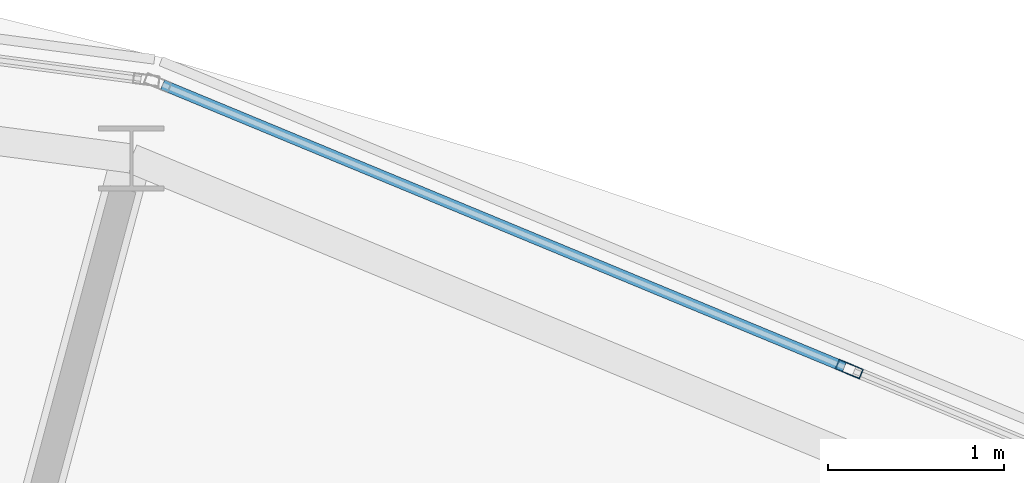
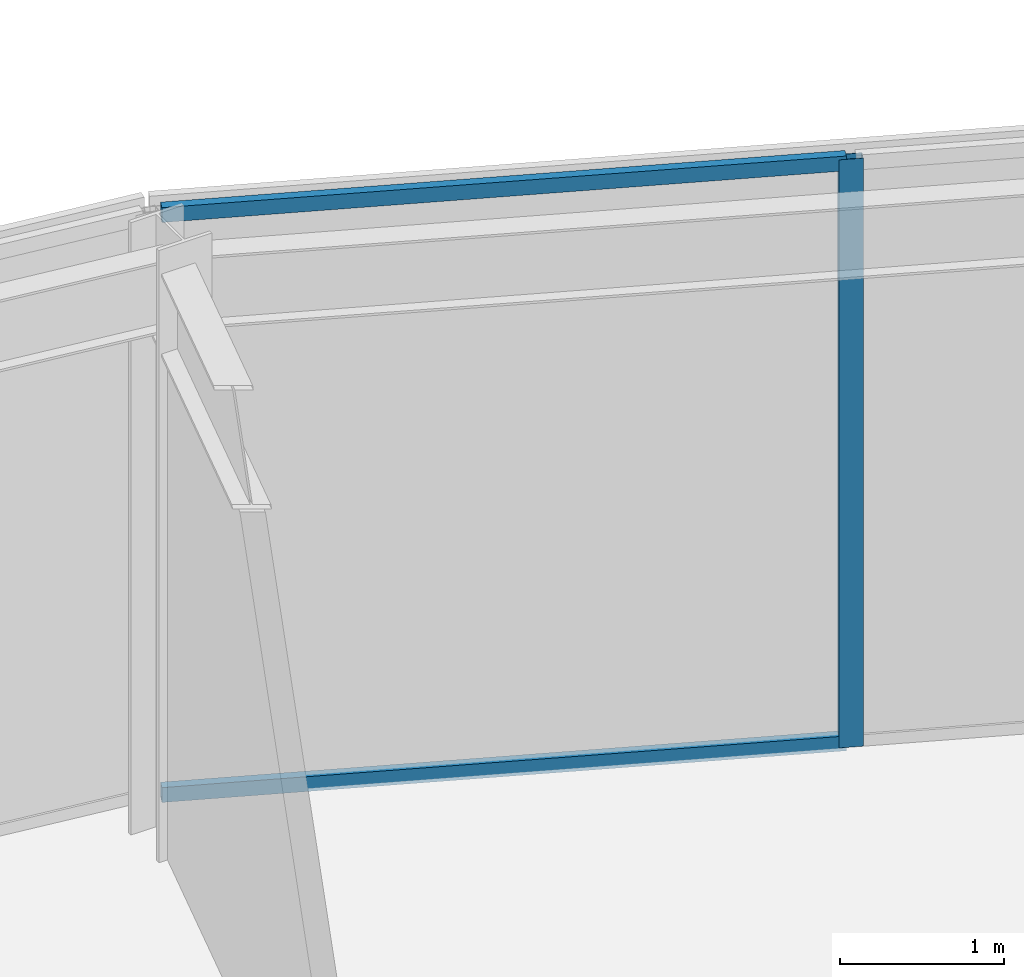
# One storey, part 90 of 157: 3 members, 1 element without a shape of its own.
"""IFC4 building model written with IfcOpenShell, lengths in metres."""

from ifc_helpers import new_model, si_unit, direction, frame, origin, origin_2d, place, context, subcontext, project, spatial, hollow_rectangle, extrude, material, material_profile, profile_set, type_object, element, aggregate, save


model = new_model("IFC4")

# Units and contexts
model_context = context("Model", 3, precision=1e-05, world=origin(), true_north=direction((0.0, 1.0)))
body_context = subcontext(model_context, "Body", "Model", "MODEL_VIEW")
ifc_project = project(units=[si_unit("LENGTHUNIT", "METRE"), si_unit("AREAUNIT", "SQUARE_METRE"), si_unit("VOLUMEUNIT", "CUBIC_METRE"), si_unit("PLANEANGLEUNIT", "RADIAN"), si_unit("MASSUNIT", "GRAM", prefix="KILO")], contexts=[model_context])

# Site, building, storey
site_placement = place(None, origin())
site = spatial("IfcSite", under=ifc_project, at=site_placement, CompositionType="ELEMENT")
building_placement = place(site_placement, origin())
building = spatial("IfcBuilding", under=site, at=building_placement, Name="Almandine Court Research Institute", CompositionType="ELEMENT")
storey_placement = place(building_placement, frame((0.0, 0.0, 5.25)))
storey = spatial("IfcBuildingStorey", under=building, at=storey_placement, Name="L01", CompositionType="ELEMENT", Elevation=5.25)

# Curtain wall, members
ifc_material_1 = material(Name="Unitised Curtain Wall Framing and Solar Glazing", Category="glass")
curtain_wall_type = type_object("IfcCurtainWallType", Name="CW-CWG-20", PredefinedType="USERDEFINED", material=ifc_material_1)
curtain_wall_placement = place(storey_placement, origin())
curtain_wall = element("IfcCurtainWall", 1, at=curtain_wall_placement, inside=storey, type_object=curtain_wall_type, Name="L01 Stacked-Ring Drum Outer Unitised Glazing 04", ObjectType="UNITISED GLAZING", PredefinedType="USERDEFINED")
ifc_material_2 = material(Name="Anodised Aluminium AW-6063-T6", Category="aluminium")
ifc_material_profile_1 = material_profile(ifc_material_2, hollow_rectangle(XDim=0.06005859375, YDim=0.14990234375, WallThickness=0.00390625, at=origin_2d()), Name="ALU RHS 60x150x4")
ifc_profile_set_1 = profile_set([ifc_material_profile_1], Name="Anodised Aluminium AW-6063-T6")
member_type_1 = type_object("IfcMemberType", Name="CWMul-60x150", PredefinedType="MULLION", material=ifc_profile_set_1)
member_1_placement = place(storey_placement, frame((103.7451171875, 102.034423828125, 0.0), z_axis=(0.0, 0.0, 1.0), x_axis=(0.382662689242, 0.923888124321, 0.0)))
member_1 = element("IfcMember", 2, at=member_1_placement, type_object=member_type_1, Name="CWG-20 mullion 2", PredefinedType="MULLION", context=body_context, shape_type="SweptSolid", body=[
    extrude(hollow_rectangle(XDim=0.06005859375, YDim=0.14990234375, WallThickness=0.00390625, at=origin_2d()), origin(), (0.0, 0.0, 1.0), 4.3701171875),
])
ifc_material_profile_2 = material_profile(ifc_material_2, hollow_rectangle(XDim=0.06005859375, YDim=0.110107421875, WallThickness=0.00390625, at=origin_2d()), Name="ALU RHS 60x110x4")
ifc_profile_set_2 = profile_set([ifc_material_profile_2], Name="Anodised Aluminium AW-6063-T6")
member_type_2 = type_object("IfcMemberType", Name="CWTrn-60x110", PredefinedType="NOTDEFINED", material=ifc_profile_set_2)
member_2_placement = place(storey_placement, frame((99.83447265625, 103.654052734375, 0.030029296875), z_axis=(0.923892933282, -0.382651078441, 0.0), x_axis=(0.382651078441, 0.923892933282, 0.0)))
member_2 = element("IfcMember", 3, at=member_2_placement, type_object=member_type_2, Name="CWG-20 transom 1.1", ObjectType="TRANSOM", PredefinedType="USERDEFINED", context=body_context, shape_type="SweptSolid", body=[
    extrude(hollow_rectangle(XDim=0.06005859375, YDim=0.110107421875, WallThickness=0.00390625, at=origin_2d()), origin(), (0.0, 0.0, 1.0), 4.20263671875),
])
member_3_placement = place(storey_placement, frame((99.83447265625, 103.654052734375, 4.340087890625), z_axis=(0.923892933282, -0.382651078441, 0.0), x_axis=(0.382651078441, 0.923892933282, 0.0)))
member_3 = element("IfcMember", 4, at=member_3_placement, type_object=member_type_2, Name="CWG-20 transom 1.2", ObjectType="TRANSOM", PredefinedType="USERDEFINED", context=body_context, shape_type="SweptSolid", body=[
    extrude(hollow_rectangle(XDim=0.06005859375, YDim=0.110107421875, WallThickness=0.00390625, at=origin_2d()), origin(), (0.0, 0.0, 1.0), 4.20263671875),
])
aggregate(curtain_wall, [member_1, member_2, member_3])

save(model, "model.ifc")
